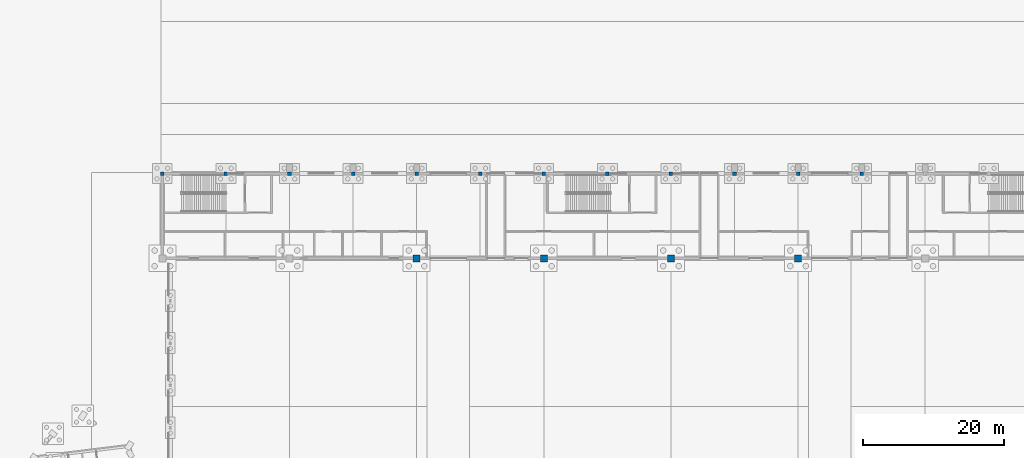
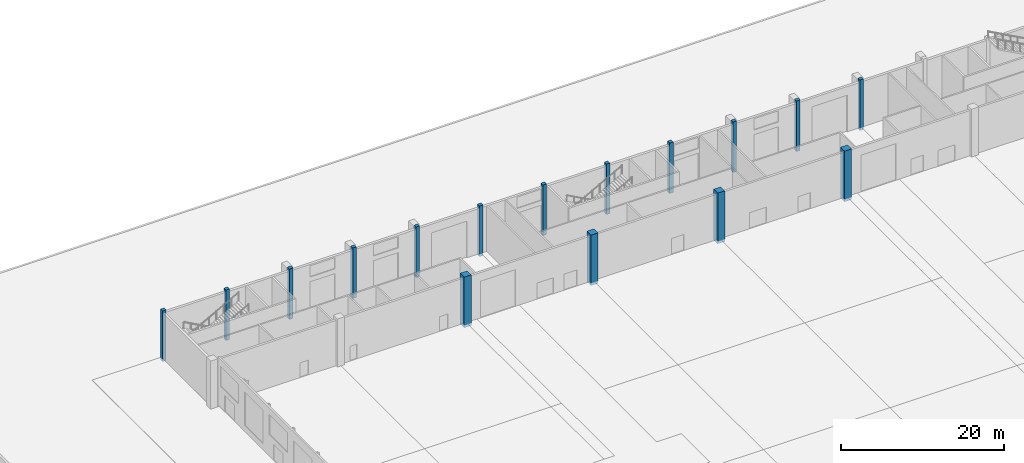
# One storey, part 34 of 239: 16 columns.
"""IFC4 building model written with IfcOpenShell, lengths in metres."""

from ifc_helpers import new_model, si_unit, direction, frame, origin, origin_2d, place, context, subcontext, project, spatial, rectangle, extrude, material, material_profile, profile_set, type_object, element, save


model = new_model("IFC4")

# Units and contexts
model_context = context("Model", 3, precision=1e-05, world=origin(), true_north=direction((0.0, 1.0)))
body_context = subcontext(model_context, "Body", "Model", "MODEL_VIEW")
ifc_project = project(units=[si_unit("LENGTHUNIT", "METRE"), si_unit("AREAUNIT", "SQUARE_METRE"), si_unit("VOLUMEUNIT", "CUBIC_METRE"), si_unit("PLANEANGLEUNIT", "RADIAN"), si_unit("MASSUNIT", "GRAM", prefix="KILO")], contexts=[model_context])

# Site, building, storey
site_placement = place(None, origin())
site = spatial("IfcSite", under=ifc_project, at=site_placement, CompositionType="ELEMENT")
building_placement = place(site_placement, origin())
building = spatial("IfcBuilding", under=site, at=building_placement, Name="Okhra Congress Centre", CompositionType="ELEMENT")
storey_placement = place(building_placement, origin())
storey = spatial("IfcBuildingStorey", under=building, at=storey_placement, Name="L00", CompositionType="ELEMENT", Elevation=0.0)

# Columns
ifc_material_1 = material(Name="Concrete C40/50", Category="concrete")
ifc_material_profile_1 = material_profile(ifc_material_1, rectangle(XDim=1.0, YDim=1.0, at=origin_2d()), Name="RC 1000x1000")
ifc_profile_set_1 = profile_set([ifc_material_profile_1], Name="Concrete C40/50")
column_type_1 = type_object("IfcColumnType", Name="RC column 1000x1000 C40/50", PredefinedType="COLUMN", material=ifc_profile_set_1)
for number, where, z_axis, x_axis, name in (
    (1, (64.0, 216.0, -0.39990234375), (0.0, 0.0, 1.0), (1.0, 0.0, 0.0), "EH.COL.L00.SC6"),
    (2, (82.0, 216.0, -0.39990234375), (0.0, 0.0, 1.0), (1.0, 0.0, 0.0), "EH.COL.L00.SC8"),
    (3, (100.0, 216.0, -0.39990234375), (0.0, 0.0, 1.0), (1.0, 0.0, 0.0), "EH.COL.L00.SC10"),
    (4, (118.0, 216.0, -0.39990234375), (0.0, 0.0, 1.0), (1.0, 0.0, 0.0), "EH.COL.L00.SC12"),
):
    element("IfcColumn", number, at=place(storey_placement, frame(where, z_axis=z_axis, x_axis=x_axis)), inside=storey, type_object=column_type_1, Name=name, PredefinedType="COLUMN", context=body_context, shape_type="SweptSolid", body=[
        extrude(rectangle(XDim=1.0, YDim=1.0, at=origin_2d()), origin(), (0.0, 0.0, 1.0), 7.599853515625),
    ])
ifc_material_2 = material(Name="Concrete C35/45", Category="concrete")
ifc_material_profile_2 = material_profile(ifc_material_2, rectangle(XDim=0.5, YDim=0.5, at=origin_2d()), Name="RC 500x500")
ifc_profile_set_2 = profile_set([ifc_material_profile_2], Name="Concrete C35/45")
column_type_2 = type_object("IfcColumnType", Name="RC column 500x500 C35/45", PredefinedType="COLUMN", material=ifc_profile_set_2)
for number, where, z_axis, x_axis, name in (
    (5, (28.0, 228.0, -0.39990234375), (0.0, 0.0, 1.0), (1.0, 0.0, 0.0), "EH.COL.L00.KC1"),
    (6, (37.0, 228.0, -0.39990234375), (0.0, 0.0, 1.0), (1.0, 0.0, 0.0), "EH.COL.L00.KC2"),
    (7, (46.0, 228.0, -0.39990234375), (0.0, 0.0, 1.0), (1.0, 0.0, 0.0), "EH.COL.L00.KC3"),
    (8, (55.0, 228.0, -0.39990234375), (0.0, 0.0, 1.0), (1.0, 0.0, 0.0), "EH.COL.L00.KC4"),
    (9, (64.0, 228.0, -0.39990234375), (0.0, 0.0, 1.0), (1.0, 0.0, 0.0), "EH.COL.L00.KC5"),
    (10, (73.0, 228.0, -0.39990234375), (0.0, 0.0, 1.0), (1.0, 0.0, 0.0), "EH.COL.L00.KC6"),
    (11, (82.0, 228.0, -0.39990234375), (0.0, 0.0, 1.0), (1.0, 0.0, 0.0), "EH.COL.L00.KC7"),
    (12, (91.0, 228.0, -0.39990234375), (0.0, 0.0, 1.0), (1.0, 0.0, 0.0), "EH.COL.L00.KC8"),
    (13, (100.0, 228.0, -0.39990234375), (0.0, 0.0, 1.0), (1.0, 0.0, 0.0), "EH.COL.L00.KC9"),
    (14, (109.0, 228.0, -0.39990234375), (0.0, 0.0, 1.0), (1.0, 0.0, 0.0), "EH.COL.L00.KC10"),
    (15, (118.0, 228.0, -0.39990234375), (0.0, 0.0, 1.0), (1.0, 0.0, 0.0), "EH.COL.L00.KC11"),
    (16, (127.0, 228.0, -0.39990234375), (0.0, 0.0, 1.0), (1.0, 0.0, 0.0), "EH.COL.L00.KC12"),
):
    element("IfcColumn", number, at=place(storey_placement, frame(where, z_axis=z_axis, x_axis=x_axis)), inside=storey, type_object=column_type_2, Name=name, PredefinedType="COLUMN", context=body_context, shape_type="SweptSolid", body=[
        extrude(rectangle(XDim=0.5, YDim=0.5, at=origin_2d()), origin(), (0.0, 0.0, 1.0), 7.599853515625),
    ])

save(model, "model.ifc")
